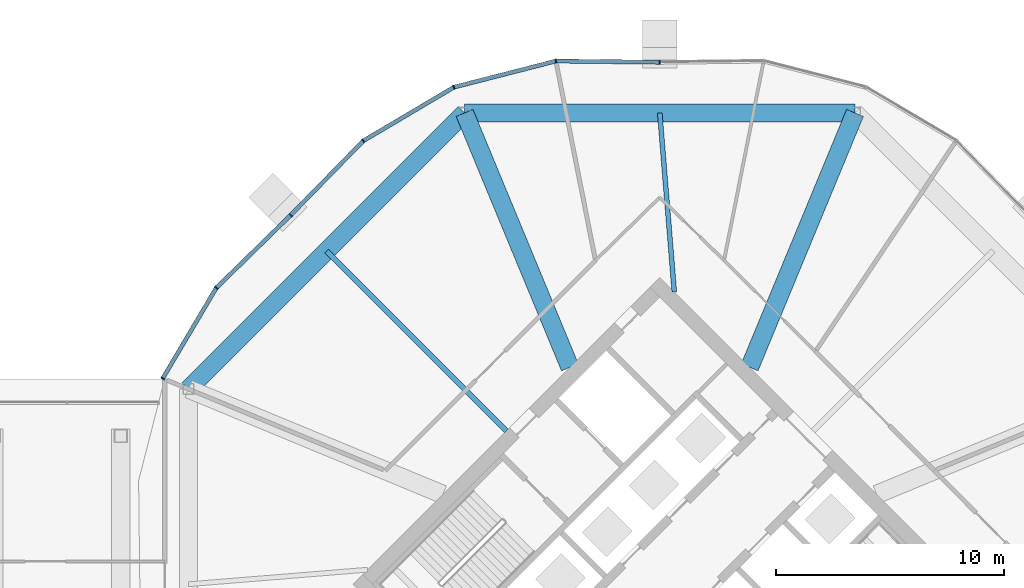
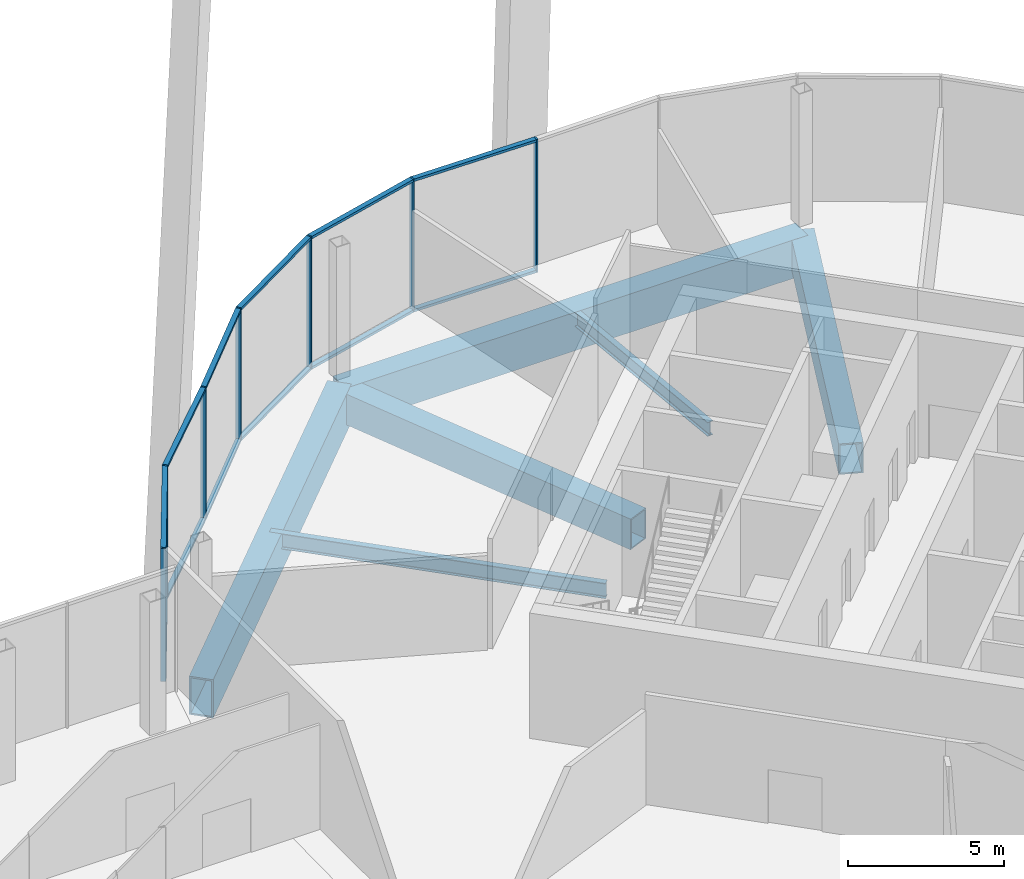
# One storey, part 15 of 28: 19 members, 6 beams, 3 elements without a shape of their own.
"""IFC4 building model written with IfcOpenShell, lengths in metres."""

from ifc_helpers import new_model, si_unit, direction, frame, origin, origin_2d, place, context, subcontext, project, spatial, rectangle, hollow_rectangle, i_section, extrude, material, material_profile, profile_set, type_object, element, aggregate, save


model = new_model("IFC4")

# Units and contexts
model_context = context("Model", 3, precision=1e-05, world=origin(), true_north=direction((0.0, 1.0)))
body_context = subcontext(model_context, "Body", "Model", "MODEL_VIEW")
ifc_project = project(units=[si_unit("LENGTHUNIT", "METRE"), si_unit("AREAUNIT", "SQUARE_METRE"), si_unit("VOLUMEUNIT", "CUBIC_METRE"), si_unit("PLANEANGLEUNIT", "RADIAN"), si_unit("MASSUNIT", "GRAM", prefix="KILO")], contexts=[model_context])

# Site, building, storey
site_placement = place(None, origin())
site = spatial("IfcSite", under=ifc_project, at=site_placement, CompositionType="ELEMENT")
building_placement = place(site_placement, origin())
building = spatial("IfcBuilding", under=site, at=building_placement, Name="Ogive Gate Towers", CompositionType="ELEMENT")
storey_placement = place(building_placement, frame((0.0, 0.0, 135.60009765625)))
storey = spatial("IfcBuildingStorey", under=building, at=storey_placement, Name="L32", CompositionType="ELEMENT", Elevation=135.60009765625)

# Beams
ifc_material_1 = material(Name="Steel SM460", Category="steel")
ifc_material_profile_1 = material_profile(ifc_material_1, hollow_rectangle(XDim=0.800048828125, YDim=1.5, WallThickness=0.06005859375, at=origin_2d()), Name="BX 1500x800x60")
ifc_profile_set_1 = profile_set([ifc_material_profile_1], Name="Steel SM460")
beam_type_1 = type_object("IfcBeamType", Name="Edge girder BX 1500x800x60", PredefinedType="BEAM", material=ifc_profile_set_1)
beam_1_placement = place(storey_placement, frame((44.549072265625, 20.639404296875, -1.050048828125), z_axis=(-1.0, 0.0, 0.0), x_axis=(0.0, -1.0, 0.0)))
element("IfcBeam", 1, at=beam_1_placement, inside=storey, type_object=beam_type_1, Name="T2/L32/SBM022", PredefinedType="BEAM", context=body_context, shape_type="SweptSolid", body=[
    extrude(hollow_rectangle(XDim=0.800048828125, YDim=1.5, WallThickness=0.06005859375, at=origin_2d()), origin(), (0.0, 0.0, 1.0), 17.09814453125),
])
beam_2_placement = place(storey_placement, frame((27.450927734375, 20.639404296875, -1.050048828125), z_axis=(-0.707106781187, -0.707106781187, 0.0), x_axis=(0.707106781187, -0.707106781187, 0.0)))
element("IfcBeam", 2, at=beam_2_placement, inside=storey, type_object=beam_type_1, Name="T2/L32/SBM023", PredefinedType="BEAM", context=body_context, shape_type="SweptSolid", body=[
    extrude(hollow_rectangle(XDim=0.800048828125, YDim=1.5, WallThickness=0.06005859375, at=origin_2d()), origin(), (0.0, 0.0, 1.0), 17.098388671875),
])
ifc_material_2 = material(Name="Steel SM355", Category="steel")
ifc_material_profile_2 = material_profile(ifc_material_2, i_section(OverallWidth=0.2099609375, OverallDepth=0.550048828125, WebThickness=0.010986328125, FlangeThickness=0.01708984375, FilletRadius=0.02392578125, at=origin_2d()), Name="IPE 550")
ifc_profile_set_2 = profile_set([ifc_material_profile_2], Name="Steel SM355")
beam_type_2 = type_object("IfcBeamType", Name="Radial floor beam IPE 550", PredefinedType="BEAM", material=ifc_profile_set_2)
beam_3_placement = place(storey_placement, frame((36.636474609375, 12.798583984375, -0.5751953125), z_axis=(-0.080908365468, 0.996721544062, 0.0), x_axis=(-0.996721544062, -0.080908365468, 0.0)))
element("IfcBeam", 3, at=beam_3_placement, inside=storey, type_object=beam_type_2, Name="T2/L32/SBM012", PredefinedType="BEAM", context=body_context, shape_type="SweptSolid", body=[
    extrude(i_section(OverallWidth=0.2099609375, OverallDepth=0.550048828125, WebThickness=0.010986328125, FlangeThickness=0.01708984375, FilletRadius=0.02392578125, at=origin_2d()), origin(), (0.0, 0.0, 1.0), 7.86669921875),
])
ifc_material_profile_3 = material_profile(ifc_material_2, i_section(OverallWidth=0.219970703125, OverallDepth=0.60009765625, WebThickness=0.011962890625, FlangeThickness=0.01904296875, FilletRadius=0.02392578125, at=origin_2d()), Name="IPE 600")
ifc_profile_set_3 = profile_set([ifc_material_profile_3], Name="Steel SM355")
beam_type_3 = type_object("IfcBeamType", Name="Radial floor beam IPE 600", PredefinedType="BEAM", material=ifc_profile_set_3)
beam_4_placement = place(storey_placement, frame((29.282470703125, 6.717529296875, -0.60009765625), z_axis=(-0.707106781187, 0.707106781187, 0.0), x_axis=(-0.707106781187, -0.707106781187, 0.0)))
element("IfcBeam", 4, at=beam_4_placement, inside=storey, type_object=beam_type_3, Name="T2/L32/SBM014", PredefinedType="BEAM", context=body_context, shape_type="SweptSolid", body=[
    extrude(i_section(OverallWidth=0.219970703125, OverallDepth=0.60009765625, WebThickness=0.011962890625, FlangeThickness=0.01904296875, FilletRadius=0.02392578125, at=origin_2d()), origin(), (0.0, 0.0, 1.0), 11.139404296875),
])

# Curtain wall, member
ifc_material_3 = material(Name="Pale metal aluminium", Category="aluminium")
curtain_wall_type = type_object("IfcCurtainWallType", Name="Tower unitised wall, high zone", PredefinedType="NOTDEFINED", material=ifc_material_3)
curtain_wall_1_placement = place(storey_placement, origin())
curtain_wall_1 = element("IfcCurtainWall", 5, at=curtain_wall_1_placement, inside=storey, type_object=curtain_wall_type, Name="CW2 T2 ECW02", PredefinedType="NOTDEFINED")
ifc_material_profile_4 = material_profile(ifc_material_3, rectangle(XDim=0.179931640625, YDim=0.06005859375, at=origin_2d()), Name="60 x 180 aluminium box")
ifc_profile_set_4 = profile_set([ifc_material_profile_4], Name="Pale metal aluminium")
member_type_1 = type_object("IfcMemberType", Name="Tower unitised wall, high zone mullion 60 x 180", PredefinedType="MULLION", material=ifc_profile_set_4)
member_1_placement = place(storey_placement, frame((36.0, 22.860107421875, -0.300048828125), z_axis=(0.0, 0.0, 1.0), x_axis=(-0.011641083172, 0.999932240296, 0.0)))
member_1 = element("IfcMember", 6, at=member_1_placement, type_object=member_type_1, Name="CW2 mullion", PredefinedType="MULLION", context=body_context, shape_type="SweptSolid", body=[
    extrude(rectangle(XDim=0.179931640625, YDim=0.06005859375, at=origin_2d()), origin(), (0.0, 0.0, 1.0), 5.199951171875),
])
aggregate(curtain_wall_1, [member_1])

# Curtain wall, members
curtain_wall_2_placement = place(storey_placement, origin())
curtain_wall_2 = element("IfcCurtainWall", 7, at=curtain_wall_2_placement, inside=storey, type_object=curtain_wall_type, Name="CW2 T2 ECW03", PredefinedType="NOTDEFINED")
member_2_placement = place(storey_placement, frame((31.449462890625, 22.9130859375, -0.300048828125), z_axis=(0.0, 0.0, 1.0), x_axis=(-0.119443734243, 0.992840971329, 0.0)))
member_2 = element("IfcMember", 8, at=member_2_placement, type_object=member_type_1, Name="CW2 mullion", PredefinedType="MULLION", context=body_context, shape_type="SweptSolid", body=[
    extrude(rectangle(XDim=0.179931640625, YDim=0.06005859375, at=origin_2d()), origin(), (0.0, 0.0, 1.0), 5.199951171875),
])
member_3_placement = place(storey_placement, frame((26.983642578125, 21.767578125, -0.300048828125), z_axis=(0.0, 0.0, 1.0), x_axis=(-0.382683432365, 0.923879532511, 0.0)))
member_3 = element("IfcMember", 9, at=member_3_placement, type_object=member_type_1, Name="CW2 mullion", PredefinedType="MULLION", context=body_context, shape_type="SweptSolid", body=[
    extrude(rectangle(XDim=0.179931640625, YDim=0.06005859375, at=origin_2d()), origin(), (0.0, 0.0, 1.0), 5.199951171875),
])
member_4_placement = place(storey_placement, frame((23.015869140625, 19.419677734375, -0.300048828125), z_axis=(0.0, 0.0, 1.0), x_axis=(-0.617585109014, 0.78650405792, 0.0)))
member_4 = element("IfcMember", 10, at=member_4_placement, type_object=member_type_1, Name="CW2 mullion", PredefinedType="MULLION", context=body_context, shape_type="SweptSolid", body=[
    extrude(rectangle(XDim=0.179931640625, YDim=0.06005859375, at=origin_2d()), origin(), (0.0, 0.0, 1.0), 5.199951171875),
])
member_5_placement = place(storey_placement, frame((19.835693359375, 16.16455078125, -0.300048828125), z_axis=(0.0, 0.0, 1.0), x_axis=(-0.715302553421, 0.698814894711, 0.0)))
member_5 = element("IfcMember", 11, at=member_5_placement, type_object=member_type_1, Name="CW2 mullion", PredefinedType="MULLION", context=body_context, shape_type="SweptSolid", body=[
    extrude(rectangle(XDim=0.179931640625, YDim=0.06005859375, at=origin_2d()), origin(), (0.0, 0.0, 1.0), 5.199951171875),
])

curtain_wall_3_placement = place(storey_placement, origin())
curtain_wall_3 = element("IfcCurtainWall", 12, at=curtain_wall_3_placement, inside=storey, type_object=curtain_wall_type, Name="CW2 T2 ECW04", PredefinedType="NOTDEFINED")
member_6_placement = place(storey_placement, frame((16.580322265625, 12.984130859375, -0.300048828125), z_axis=(0.0, 0.0, 1.0), x_axis=(-0.78650405792, 0.617585109014, 0.0)))
member_6 = element("IfcMember", 13, at=member_6_placement, type_object=member_type_1, Name="CW2 mullion", PredefinedType="MULLION", context=body_context, shape_type="SweptSolid", body=[
    extrude(rectangle(XDim=0.179931640625, YDim=0.06005859375, at=origin_2d()), origin(), (0.0, 0.0, 1.0), 5.199951171875),
])
member_7_placement = place(storey_placement, frame((14.231689453125, 9.01513671875, -0.300048828125), z_axis=(0.0, 0.0, 1.0), x_axis=(-0.860626507016, 0.509236698817, 0.0)))
member_7 = element("IfcMember", 14, at=member_7_placement, type_object=member_type_1, Name="CW2 mullion", PredefinedType="MULLION", context=body_context, shape_type="SweptSolid", body=[
    extrude(rectangle(XDim=0.179931640625, YDim=0.06005859375, at=origin_2d()), origin(), (0.0, 0.0, 1.0), 5.199951171875),
])

# Member
ifc_material_profile_5 = material_profile(ifc_material_3, rectangle(XDim=0.179931640625, YDim=0.10009765625, at=origin_2d()), Name="100 x 180 aluminium box")
ifc_profile_set_5 = profile_set([ifc_material_profile_5], Name="Pale metal aluminium")
member_type_2 = type_object("IfcMemberType", Name="Tower unitised wall, high zone transom 100 x 180", PredefinedType="USERDEFINED", material=ifc_profile_set_5)
member_8_placement = place(storey_placement, frame((35.969970703125, 22.8603515625, 4.849853515625), z_axis=(-0.999932366003, 0.01163028025, 0.0), x_axis=(-0.01163028025, -0.999932366003, 0.0)))
member_8 = element("IfcMember", 15, at=member_8_placement, type_object=member_type_2, Name="CW2 transom", ObjectType="TRANSOM", PredefinedType="USERDEFINED", context=body_context, shape_type="SweptSolid", body=[
    extrude(rectangle(XDim=0.179931640625, YDim=0.10009765625, at=origin_2d()), origin(), (0.0, 0.0, 1.0), 4.4921875),
])

member_9_placement = place(storey_placement, frame((35.969970703125, 22.8603515625, -0.25), z_axis=(-0.999932366003, 0.01163028025, 0.0), x_axis=(-0.01163028025, -0.999932366003, 0.0)))
member_9 = element("IfcMember", 16, at=member_9_placement, type_object=member_type_2, Name="CW2 transom", ObjectType="TRANSOM", PredefinedType="USERDEFINED", context=body_context, shape_type="SweptSolid", body=[
    extrude(rectangle(XDim=0.179931640625, YDim=0.10009765625, at=origin_2d()), origin(), (0.0, 0.0, 1.0), 4.4921875),
])

member_10_placement = place(storey_placement, frame((31.421630859375, 22.906005859375, 4.849853515625), z_axis=(-0.96863872171, -0.248473392549, 0.0), x_axis=(0.248473392549, -0.96863872171, 0.0)))
member_10 = element("IfcMember", 17, at=member_10_placement, type_object=member_type_2, Name="CW2 transom", ObjectType="TRANSOM", PredefinedType="USERDEFINED", context=body_context, shape_type="SweptSolid", body=[
    extrude(rectangle(XDim=0.179931640625, YDim=0.10009765625, at=origin_2d()), origin(), (0.0, 0.0, 1.0), 4.55322265625),
])

member_11_placement = place(storey_placement, frame((31.421630859375, 22.906005859375, -0.25), z_axis=(-0.96863872171, -0.248473392549, 0.0), x_axis=(0.248473392549, -0.96863872171, 0.0)))
member_11 = element("IfcMember", 18, at=member_11_placement, type_object=member_type_2, Name="CW2 transom", ObjectType="TRANSOM", PredefinedType="USERDEFINED", context=body_context, shape_type="SweptSolid", body=[
    extrude(rectangle(XDim=0.179931640625, YDim=0.10009765625, at=origin_2d()), origin(), (0.0, 0.0, 1.0), 4.55322265625),
])

member_12_placement = place(storey_placement, frame((26.958984375, 21.7529296875, 4.849853515625), z_axis=(-0.860623205128, -0.509242279072, 0.0), x_axis=(0.509242279072, -0.860623205128, 0.0)))
member_12 = element("IfcMember", 19, at=member_12_placement, type_object=member_type_2, Name="CW2 transom", ObjectType="TRANSOM", PredefinedType="USERDEFINED", context=body_context, shape_type="SweptSolid", body=[
    extrude(rectangle(XDim=0.179931640625, YDim=0.10009765625, at=origin_2d()), origin(), (0.0, 0.0, 1.0), 4.552978515625),
])

member_13_placement = place(storey_placement, frame((26.958984375, 21.7529296875, -0.25), z_axis=(-0.860623205128, -0.509242279072, 0.0), x_axis=(0.509242279072, -0.860623205128, 0.0)))
member_13 = element("IfcMember", 20, at=member_13_placement, type_object=member_type_2, Name="CW2 transom", ObjectType="TRANSOM", PredefinedType="USERDEFINED", context=body_context, shape_type="SweptSolid", body=[
    extrude(rectangle(XDim=0.179931640625, YDim=0.10009765625, at=origin_2d()), origin(), (0.0, 0.0, 1.0), 4.552978515625),
])

member_14_placement = place(storey_placement, frame((22.995849609375, 19.399169921875, 4.849853515625), z_axis=(-0.698824901498, -0.715292777152, 0.0), x_axis=(0.715292777152, -0.698824901498, 0.0)))
member_14 = element("IfcMember", 21, at=member_14_placement, type_object=member_type_2, Name="CW2 transom", ObjectType="TRANSOM", PredefinedType="USERDEFINED", context=body_context, shape_type="SweptSolid", body=[
    extrude(rectangle(XDim=0.179931640625, YDim=0.10009765625, at=origin_2d()), origin(), (0.0, 0.0, 1.0), 4.491943359375),
])

member_15_placement = place(storey_placement, frame((22.995849609375, 19.399169921875, -0.25), z_axis=(-0.698824901498, -0.715292777152, 0.0), x_axis=(0.715292777152, -0.698824901498, 0.0)))
member_15 = element("IfcMember", 22, at=member_15_placement, type_object=member_type_2, Name="CW2 transom", ObjectType="TRANSOM", PredefinedType="USERDEFINED", context=body_context, shape_type="SweptSolid", body=[
    extrude(rectangle(XDim=0.179931640625, YDim=0.10009765625, at=origin_2d()), origin(), (0.0, 0.0, 1.0), 4.491943359375),
])

aggregate(curtain_wall_2, [member_2, member_8, member_9, member_3, member_10, member_11, member_4, member_12, member_13, member_5, member_14, member_15])

member_16_placement = place(storey_placement, frame((19.81396484375, 16.143310546875, 4.849853515625), z_axis=(-0.715292777152, -0.698824901498, 0.0), x_axis=(0.698824901498, -0.715292777152, 0.0)))
member_16 = element("IfcMember", 23, at=member_16_placement, type_object=member_type_2, Name="CW2 transom", ObjectType="TRANSOM", PredefinedType="USERDEFINED", context=body_context, shape_type="SweptSolid", body=[
    extrude(rectangle(XDim=0.179931640625, YDim=0.10009765625, at=origin_2d()), origin(), (0.0, 0.0, 1.0), 4.491943359375),
])

member_17_placement = place(storey_placement, frame((19.81396484375, 16.143310546875, -0.25), z_axis=(-0.715292777152, -0.698824901498, 0.0), x_axis=(0.698824901498, -0.715292777152, 0.0)))
member_17 = element("IfcMember", 24, at=member_17_placement, type_object=member_type_2, Name="CW2 transom", ObjectType="TRANSOM", PredefinedType="USERDEFINED", context=body_context, shape_type="SweptSolid", body=[
    extrude(rectangle(XDim=0.179931640625, YDim=0.10009765625, at=origin_2d()), origin(), (0.0, 0.0, 1.0), 4.491943359375),
])

member_18_placement = place(storey_placement, frame((16.565673828125, 12.95947265625, 4.849853515625), z_axis=(-0.509242279072, -0.860623205128, 0.0), x_axis=(0.860623205128, -0.509242279072, 0.0)))
member_18 = element("IfcMember", 25, at=member_18_placement, type_object=member_type_2, Name="CW2 transom", ObjectType="TRANSOM", PredefinedType="USERDEFINED", context=body_context, shape_type="SweptSolid", body=[
    extrude(rectangle(XDim=0.179931640625, YDim=0.10009765625, at=origin_2d()), origin(), (0.0, 0.0, 1.0), 4.552978515625),
])

member_19_placement = place(storey_placement, frame((16.565673828125, 12.95947265625, -0.25), z_axis=(-0.509242279072, -0.860623205128, 0.0), x_axis=(0.860623205128, -0.509242279072, 0.0)))
member_19 = element("IfcMember", 26, at=member_19_placement, type_object=member_type_2, Name="CW2 transom", ObjectType="TRANSOM", PredefinedType="USERDEFINED", context=body_context, shape_type="SweptSolid", body=[
    extrude(rectangle(XDim=0.179931640625, YDim=0.10009765625, at=origin_2d()), origin(), (0.0, 0.0, 1.0), 4.552978515625),
])

aggregate(curtain_wall_3, [member_6, member_16, member_17, member_7, member_18, member_19])

# Beams
ifc_material_profile_6 = material_profile(ifc_material_1, hollow_rectangle(XDim=0.800048828125, YDim=1.199951171875, WallThickness=0.050048828125, at=origin_2d()), Name="BX 1200x800x50")
ifc_profile_set_6 = profile_set([ifc_material_profile_6], Name="Steel SM460")
beam_type_4 = type_object("IfcBeamType", Name="Transfer radial beam BX 1200x800x50", PredefinedType="BEAM", material=ifc_profile_set_6)
for number, where, z_axis, x_axis, name in (
    (27, (39.93505859375, 9.5, -0.900146484375), (0.382677863518, 0.923881839184, 0.0), (-0.923881839184, 0.382677863518, 0.0), "T2/L32/SBM011"),
    (28, (32.06494140625, 9.5, -0.900146484375), (-0.382677863518, 0.923881839184, 0.0), (-0.923881839184, -0.382677863518, 0.0), "T2/L32/SBM013"),
):
    element("IfcBeam", number, at=place(storey_placement, frame(where, z_axis=z_axis, x_axis=x_axis)), inside=storey, type_object=beam_type_4, Name=name, PredefinedType="BEAM", context=body_context, shape_type="SweptSolid", body=[
        extrude(hollow_rectangle(XDim=0.800048828125, YDim=1.199951171875, WallThickness=0.050048828125, at=origin_2d()), origin(), (0.0, 0.0, 1.0), 12.05712890625),
    ])

save(model, "model.ifc")
